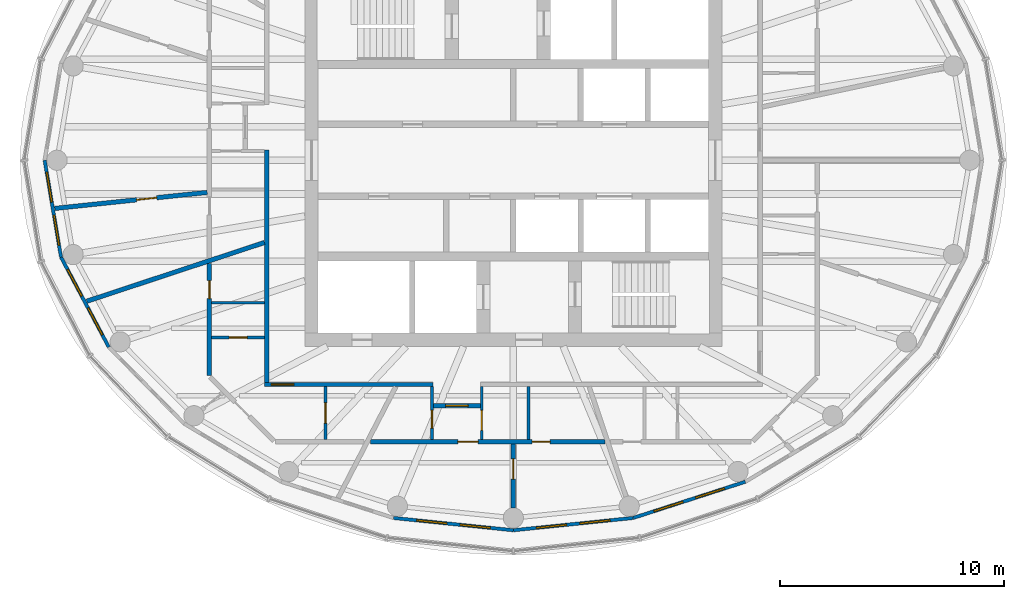
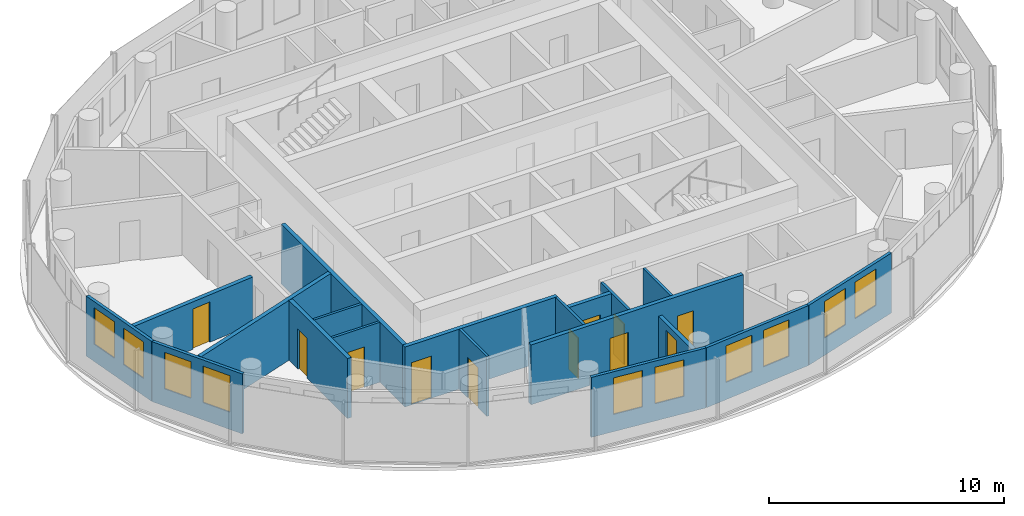
# One storey, part 5 of 11: 19 walls, 11 doors, 10 windows, 21 openings.
"""IFC4 building model written with IfcOpenShell, lengths in metres."""

import ifcopenshell
import ifcopenshell.guid

model = None  # the IFC model being written
_history = None  # IfcOwnerHistory: only IFC2X3 demands one
_inside = {}  # id of a spatial element -> (the spatial element, [elements in it])
_under = {}  # id of a project, library or spatial element -> (it, [spatial elements below it])
_declared = {}  # id of a project -> (the project, [libraries it declares])
_typed = {}  # id of a type object -> (the type object, [elements of that type])
_made_of = {}  # id of a material, layer set ... -> (it, [elements and type objects made of it])


def new_model(schema):
    """Start an empty IFC model of exactly this schema.

    Asked for "IFC4X3", IfcOpenShell would pick the latest addendum, in which some entities
    have other attributes; the version numbers below select the first issue.
    IFC2X3 requires an IfcOwnerHistory on every rooted entity: one is made here for all.
    """
    global model, _history
    if schema == "IFC4X3":
        model = ifcopenshell.file(schema_version=(4, 3, 0, 0))
    else:
        model = ifcopenshell.file(schema=schema)
    _inside.clear()
    _under.clear()
    _declared.clear()
    _typed.clear()
    _made_of.clear()
    _history = None
    if model.schema == "IFC2X3":
        org = make("IfcOrganization", Name="unknown")
        user = make(
            "IfcPersonAndOrganization",
            ThePerson=make("IfcPerson", FamilyName="unknown"),
            TheOrganization=org,
        )
        app = make(
            "IfcApplication",
            ApplicationDeveloper=org,
            Version="unknown",
            ApplicationFullName="unknown",
            ApplicationIdentifier="unknown",
        )
        _history = make(
            "IfcOwnerHistory",
            OwningUser=user,
            OwningApplication=app,
            ChangeAction="ADDED",
            CreationDate=0,
        )
    return model


def make(cls, **values):
    """One entity of the class cls with the attributes given. An attribute that is None is left unset."""
    return model.create_entity(
        cls, **{name: value for name, value in values.items() if value is not None}
    )


def rooted(cls, **values):
    """An entity with a GlobalId (a new one), such as an element, a storey or a relation."""
    return make(cls, GlobalId=ifcopenshell.guid.new(), OwnerHistory=_history, **values)


def si_unit(unit_type, name, prefix=None):
    """IfcSIUnit, for example si_unit("LENGTHUNIT", "METRE", prefix="MILLI")."""
    return make("IfcSIUnit", UnitType=unit_type, Prefix=prefix, Name=name)


def assignment(units):
    """IfcUnitAssignment: the units of a project."""
    return None if units is None else make("IfcUnitAssignment", Units=units)


def point(xyz):
    """IfcCartesianPoint."""
    return None if xyz is None else make("IfcCartesianPoint", Coordinates=xyz)


def direction(xyz):
    """IfcDirection."""
    return None if xyz is None else make("IfcDirection", DirectionRatios=xyz)


def frame(location, z_axis=None, x_axis=None):
    """IfcAxis2Placement3D, a coordinate frame: its origin and axes. An axis left out is left unset."""
    return make(
        "IfcAxis2Placement3D",
        Location=point(location),
        Axis=direction(z_axis),
        RefDirection=direction(x_axis),
    )


def frame_2d(location, x_axis=None):
    """IfcAxis2Placement2D, a coordinate frame in the plane: its origin and x axis."""
    return make(
        "IfcAxis2Placement2D", Location=point(location), RefDirection=direction(x_axis)
    )


def origin():
    """The frame at (0, 0, 0) with its axes left unset."""
    return frame((0.0, 0.0, 0.0))


def place(relative_to, where):
    """IfcLocalPlacement: puts the frame where relative to a parent placement (None: the world)."""
    return make(
        "IfcLocalPlacement", PlacementRelTo=relative_to, RelativePlacement=where
    )


def context(
    kind, dimensions, precision=None, world=None, true_north=None, identifier=None
):
    """IfcGeometricRepresentationContext, for example the 3D "Model" context."""
    return make(
        "IfcGeometricRepresentationContext",
        ContextIdentifier=identifier,
        ContextType=kind,
        CoordinateSpaceDimension=dimensions,
        Precision=precision,
        WorldCoordinateSystem=world,
        TrueNorth=true_north,
    )


def subcontext(parent, identifier, kind, view, scale=None):
    """IfcGeometricRepresentationSubContext, for example "Body" below "Model"."""
    return make(
        "IfcGeometricRepresentationSubContext",
        ContextIdentifier=identifier,
        ContextType=kind,
        ParentContext=parent,
        TargetScale=scale,
        TargetView=view,
    )


def project(units=None, contexts=None):
    """IfcProject with its units and contexts."""
    return rooted(
        "IfcProject",
        Name="project",
        RepresentationContexts=contexts,
        UnitsInContext=assignment(units),
    )


def spatial(cls, under=None, at=None, **own):
    """A site, building, storey or space (cls), placed at a placement, below another one or the project."""
    s = rooted(cls, ObjectPlacement=at, **own)
    if under is not None:
        _under.setdefault(under.id(), (under, []))[1].append(s)
    return s


def profile(cls, at=None, kind="AREA", **sizes):
    """A parametric profile (cls). Its sizes go by their IFC names, for example OverallWidth=200.0."""
    return make(cls, ProfileType=kind, Position=at, **sizes)


def rectangle(**sizes):
    """IfcRectangleProfileDef."""
    return profile("IfcRectangleProfileDef", **sizes)


def extrude(swept, where, along, depth):
    """IfcExtrudedAreaSolid: the profile swept, set in the frame where, extruded along a direction by depth."""
    return make(
        "IfcExtrudedAreaSolid",
        SweptArea=swept,
        Position=where,
        ExtrudedDirection=direction(along),
        Depth=depth,
    )


def shape(context_of_items, identifier, shape_type, items):
    """IfcShapeRepresentation: the items that make up one representation, for example the "Body"."""
    return make(
        "IfcShapeRepresentation",
        ContextOfItems=context_of_items,
        RepresentationIdentifier=identifier,
        RepresentationType=shape_type,
        Items=items,
    )


def material(Name=None, Category=None):
    """IfcMaterial."""
    return make("IfcMaterial", Name=Name, Category=Category)


def layer(
    of_material, thickness, ventilated=None, Name=None, Category=None, Priority=None
):
    """IfcMaterialLayer: one layer of a wall or slab, of a material (None: an air gap)."""
    return make(
        "IfcMaterialLayer",
        Material=of_material,
        LayerThickness=thickness,
        IsVentilated=ventilated,
        Name=Name,
        Category=Category,
        Priority=Priority,
    )


def layer_set(layers, Name=None):
    """IfcMaterialLayerSet."""
    return make("IfcMaterialLayerSet", MaterialLayers=layers, LayerSetName=Name)


def made_of(thing, what):
    """Note that an element or type object is made of a material, layer set ...; save() writes the relation."""
    if what is not None:
        _made_of.setdefault(what.id(), (what, []))[1].append(thing)
    return thing


def type_object(cls, material=None, **own):
    """A type object (cls), such as IfcWallType, which elements share."""
    return made_of(rooted(cls, **own), material)


def element(
    cls,
    number,
    at=None,
    inside=None,
    cuts=None,
    type_object=None,
    material=None,
    context=None,
    identifier="Body",
    shape_type=None,
    held_by="IfcProductDefinitionShape",
    body=None,
    shapes=None,
    **own,
):
    """One element of the class cls, such as IfcWall. Its Tag is "e" and its number.

    at: its placement. inside: the storey or other place that contains it. cuts: it is an
    opening in that element (IfcRelVoidsElement). A single representation is given by context,
    identifier, shape_type and body (its items); several are given by shapes. held_by: the class
    of the entity that holds the representations. save() writes the other relations.
    """
    e = rooted(cls, Tag="e%d" % number, ObjectPlacement=at, **own)
    if body is not None:
        shapes = [shape(context, identifier, shape_type, body)]
    if shapes is not None:
        e.Representation = make(held_by, Representations=shapes)
    if inside is not None:
        _inside.setdefault(inside.id(), (inside, []))[1].append(e)
    if cuts is not None:
        rooted(
            "IfcRelVoidsElement", RelatingBuildingElement=cuts, RelatedOpeningElement=e
        )
    if type_object is not None:
        _typed.setdefault(type_object.id(), (type_object, []))[1].append(e)
    return made_of(e, material)


def fill(opening, filler):
    """IfcRelFillsElement: the door or window that sits in an opening."""
    return rooted(
        "IfcRelFillsElement",
        RelatingOpeningElement=opening,
        RelatedBuildingElement=filler,
    )


def aggregate(whole, parts):
    """IfcRelAggregates: a whole, such as a stair, and the parts it consists of."""
    return rooted("IfcRelAggregates", RelatingObject=whole, RelatedObjects=parts)


def save(model, path):
    """Write the relations noted so far, then the file.

    IfcRelAggregates (storeys below a building ...), IfcRelContainedInSpatialStructure (elements
    in a storey), IfcRelDefinesByType, IfcRelAssociatesMaterial and IfcRelDeclares: one each for
    every whole, place, type object, material and project.
    """
    for whole, parts in _under.values():
        aggregate(whole, parts)
    for where, things in _inside.values():
        rooted(
            "IfcRelContainedInSpatialStructure",
            RelatedElements=things,
            RelatingStructure=where,
        )
    for kind, things in _typed.values():
        rooted("IfcRelDefinesByType", RelatedObjects=things, RelatingType=kind)
    for what, things in _made_of.values():
        rooted("IfcRelAssociatesMaterial", RelatedObjects=things, RelatingMaterial=what)
    for by, libraries in _declared.values():
        rooted("IfcRelDeclares", RelatingContext=by, RelatedDefinitions=libraries)
    model.write(path)


model = new_model("IFC4")

# Units and contexts
model_context = context("Model", 3, precision=1e-05, world=origin(), true_north=direction((0.0, 1.0)))
body_context = subcontext(model_context, "Body", "Model", "MODEL_VIEW")
ifc_project = project(units=[si_unit("LENGTHUNIT", "METRE"), si_unit("AREAUNIT", "SQUARE_METRE"), si_unit("VOLUMEUNIT", "CUBIC_METRE"), si_unit("PLANEANGLEUNIT", "RADIAN"), si_unit("MASSUNIT", "GRAM", prefix="KILO")], contexts=[model_context])

# Site, building, storey
site_placement = place(None, origin())
site = spatial("IfcSite", under=ifc_project, at=site_placement, CompositionType="ELEMENT")
building_placement = place(site_placement, origin())
building = spatial("IfcBuilding", under=site, at=building_placement, Name="Hankou Lantern Tower", CompositionType="ELEMENT")
storey_placement = place(building_placement, frame((0.0, 0.0, 199.5)))
storey = spatial("IfcBuildingStorey", under=building, at=storey_placement, Name="L53", CompositionType="ELEMENT", Elevation=199.5)

# Wall, openings, windows
ifc_material_1 = material(Name="Aluminium spandrel panel on steel studs", Category="steel")
ifc_layer_1 = layer(ifc_material_1, 0.14990234375)
ifc_layer_set_1 = layer_set([ifc_layer_1], Name="Aluminium spandrel panel on steel studs")
wall_type_1 = type_object("IfcWallType", Name="EW1 INNER SKIN WALL 150", PredefinedType="ELEMENTEDWALL", material=ifc_layer_set_1)
wall_1_placement = place(storey_placement, frame((-20.89990234375, 0.0, 0.0), z_axis=(0.0, 0.0, 1.0), x_axis=(0.166538513568, -0.986034950445, 0.0)))
wall_1 = element("IfcWall", 1, at=wall_1_placement, inside=storey, type_object=wall_type_1, Name="Inner skin R13-R14 L53", PredefinedType="ELEMENTEDWALL", context=body_context, shape_type="SweptSolid", body=[
    extrude(rectangle(XDim=4.384765625, YDim=0.14990234375, at=frame_2d((2.1923828125, 0.0))), origin(), (0.0, 0.0, 1.0), 3.1201171875),
])
opening_1_placement = place(wall_1_placement, frame((0.54248046875, 0.0, 0.89990234375)))
opening_1 = element("IfcOpeningElement", 2, at=opening_1_placement, cuts=wall_1, Name="Opening W4", PredefinedType="OPENING", context=body_context, shape_type="SweptSolid", body=[
    extrude(rectangle(XDim=1.35009765625, YDim=1.89990234375, at=frame_2d((0.675048828125, 0.949951171875))), frame((0.0, 0.0849609375, 0.0), z_axis=(0.0, -1.0, 0.0), x_axis=(1.0, 0.0, 0.0)), (0.0, 0.0, 1.0), 0.169921875),
])
opening_2_placement = place(wall_1_placement, frame((2.492431640625, 0.0, 0.89990234375)))
opening_2 = element("IfcOpeningElement", 3, at=opening_2_placement, cuts=wall_1, Name="Opening W4", PredefinedType="OPENING", context=body_context, shape_type="SweptSolid", body=[
    extrude(rectangle(XDim=1.35009765625, YDim=1.89990234375, at=frame_2d((0.675048828125, 0.949951171875))), frame((0.0, 0.0849609375, 0.0), z_axis=(0.0, -1.0, 0.0), x_axis=(1.0, 0.0, 0.0)), (0.0, 0.0, 1.0), 0.169921875),
])
ifc_material_2 = material(Name="Aluminium framed double glazed window", Category="aluminium")
window_type = type_object("IfcWindowType", Name="W4 SUITE WINDOW 1350X1900", PartitioningType="DOUBLE_PANEL_VERTICAL", PredefinedType="WINDOW", material=ifc_material_2)
window_1_placement = place(opening_1_placement, origin())
window_1 = element("IfcWindow", 4, at=window_1_placement, inside=storey, type_object=window_type, Name="Window R13.1 L53", OverallHeight=1.89990234375, OverallWidth=1.35009765625, PartitioningType="SINGLE_PANEL", PredefinedType="WINDOW", context=body_context, shape_type="SweptSolid", body=[
    extrude(rectangle(XDim=1.35009765625, YDim=1.89990234375, at=frame_2d((0.675048828125, 0.949951171875))), frame((0.0, 0.030029296875, 0.0), z_axis=(0.0, -1.0, 0.0), x_axis=(1.0, 0.0, 0.0)), (0.0, 0.0, 1.0), 0.06005859375),
])
fill(opening_1, window_1)
window_2_placement = place(opening_2_placement, origin())
window_2 = element("IfcWindow", 5, at=window_2_placement, inside=storey, type_object=window_type, Name="Window R13.2 L53", OverallHeight=1.89990234375, OverallWidth=1.35009765625, PartitioningType="SINGLE_PANEL", PredefinedType="WINDOW", context=body_context, shape_type="SweptSolid", body=[
    extrude(rectangle(XDim=1.35009765625, YDim=1.89990234375, at=frame_2d((0.675048828125, 0.949951171875))), frame((0.0, 0.030029296875, 0.0), z_axis=(0.0, -1.0, 0.0), x_axis=(1.0, 0.0, 0.0)), (0.0, 0.0, 1.0), 0.06005859375),
])
fill(opening_2, window_2)

wall_2_placement = place(storey_placement, frame((-20.169677734375, -4.323486328125, 0.0), z_axis=(0.0, 0.0, 1.0), x_axis=(0.469256152955, -0.883062094597, 0.0)))
wall_2 = element("IfcWall", 6, at=wall_2_placement, inside=storey, type_object=wall_type_1, Name="Inner skin R14-R15 L53", PredefinedType="ELEMENTEDWALL", context=body_context, shape_type="SweptSolid", body=[
    extrude(rectangle(XDim=4.539306640625, YDim=0.14990234375, at=frame_2d((2.26953125, 0.0))), origin(), (0.0, 0.0, 1.0), 3.1201171875),
])
opening_3_placement = place(wall_2_placement, frame((0.61962890625, 0.0, 0.89990234375)))
opening_3 = element("IfcOpeningElement", 7, at=opening_3_placement, cuts=wall_2, Name="Opening W4", PredefinedType="OPENING", context=body_context, shape_type="SweptSolid", body=[
    extrude(rectangle(XDim=1.35009765625, YDim=1.89990234375, at=frame_2d((0.675048828125, 0.949951171875))), frame((0.0, 0.0849609375, 0.0), z_axis=(0.0, -1.0, 0.0), x_axis=(1.0, 0.0, 0.0)), (0.0, 0.0, 1.0), 0.169921875),
])
opening_4_placement = place(wall_2_placement, frame((2.569580078125, 0.0, 0.89990234375)))
opening_4 = element("IfcOpeningElement", 8, at=opening_4_placement, cuts=wall_2, Name="Opening W4", PredefinedType="OPENING", context=body_context, shape_type="SweptSolid", body=[
    extrude(rectangle(XDim=1.35009765625, YDim=1.89990234375, at=frame_2d((0.675048828125, 0.949951171875))), frame((0.0, 0.0849609375, 0.0), z_axis=(0.0, -1.0, 0.0), x_axis=(1.0, 0.0, 0.0)), (0.0, 0.0, 1.0), 0.169921875),
])
window_3_placement = place(opening_3_placement, origin())
window_3 = element("IfcWindow", 9, at=window_3_placement, inside=storey, type_object=window_type, Name="Window R14.1 L53", OverallHeight=1.89990234375, OverallWidth=1.35009765625, PartitioningType="SINGLE_PANEL", PredefinedType="WINDOW", context=body_context, shape_type="SweptSolid", body=[
    extrude(rectangle(XDim=1.35009765625, YDim=1.89990234375, at=frame_2d((0.675048828125, 0.949951171875))), frame((0.0, 0.030029296875, 0.0), z_axis=(0.0, -1.0, 0.0), x_axis=(1.0, 0.0, 0.0)), (0.0, 0.0, 1.0), 0.06005859375),
])
fill(opening_3, window_3)
window_4_placement = place(opening_4_placement, origin())
window_4 = element("IfcWindow", 10, at=window_4_placement, inside=storey, type_object=window_type, Name="Window R14.2 L53", OverallHeight=1.89990234375, OverallWidth=1.35009765625, PartitioningType="SINGLE_PANEL", PredefinedType="WINDOW", context=body_context, shape_type="SweptSolid", body=[
    extrude(rectangle(XDim=1.35009765625, YDim=1.89990234375, at=frame_2d((0.675048828125, 0.949951171875))), frame((0.0, 0.030029296875, 0.0), z_axis=(0.0, -1.0, 0.0), x_axis=(1.0, 0.0, 0.0)), (0.0, 0.0, 1.0), 0.06005859375),
])
fill(opening_4, window_4)

wall_3_placement = place(storey_placement, frame((-5.3427734375, -15.95166015625, 0.0), z_axis=(0.0, 0.0, 1.0), x_axis=(0.994774574972, -0.102095763818, 0.0)))
wall_3 = element("IfcWall", 11, at=wall_3_placement, inside=storey, type_object=wall_type_1, Name="Inner skin R18-R19 L53", PredefinedType="ELEMENTEDWALL", context=body_context, shape_type="SweptSolid", body=[
    extrude(rectangle(XDim=5.370849609375, YDim=0.14990234375, at=frame_2d((2.685546875, 0.0))), origin(), (0.0, 0.0, 1.0), 3.1201171875),
])
opening_5_placement = place(wall_3_placement, frame((1.035400390625, 0.0, 0.89990234375)))
opening_5 = element("IfcOpeningElement", 12, at=opening_5_placement, cuts=wall_3, Name="Opening W4", PredefinedType="OPENING", context=body_context, shape_type="SweptSolid", body=[
    extrude(rectangle(XDim=1.35009765625, YDim=1.89990234375, at=frame_2d((0.675048828125, 0.949951171875))), frame((0.0, 0.0849609375, 0.0), z_axis=(0.0, -1.0, 0.0), x_axis=(1.0, 0.0, 0.0)), (0.0, 0.0, 1.0), 0.169921875),
])
opening_6_placement = place(wall_3_placement, frame((2.9853515625, 0.0, 0.89990234375)))
opening_6 = element("IfcOpeningElement", 13, at=opening_6_placement, cuts=wall_3, Name="Opening W4", PredefinedType="OPENING", context=body_context, shape_type="SweptSolid", body=[
    extrude(rectangle(XDim=1.35009765625, YDim=1.89990234375, at=frame_2d((0.675048828125, 0.949951171875))), frame((0.0, 0.0849609375, 0.0), z_axis=(0.0, -1.0, 0.0), x_axis=(1.0, 0.0, 0.0)), (0.0, 0.0, 1.0), 0.169921875),
])
window_5_placement = place(opening_5_placement, origin())
window_5 = element("IfcWindow", 14, at=window_5_placement, inside=storey, type_object=window_type, Name="Window R18.1 L53", OverallHeight=1.89990234375, OverallWidth=1.35009765625, PartitioningType="SINGLE_PANEL", PredefinedType="WINDOW", context=body_context, shape_type="SweptSolid", body=[
    extrude(rectangle(XDim=1.35009765625, YDim=1.89990234375, at=frame_2d((0.675048828125, 0.949951171875))), frame((0.0, 0.030029296875, 0.0), z_axis=(0.0, -1.0, 0.0), x_axis=(1.0, 0.0, 0.0)), (0.0, 0.0, 1.0), 0.06005859375),
])
fill(opening_5, window_5)
window_6_placement = place(opening_6_placement, origin())
window_6 = element("IfcWindow", 15, at=window_6_placement, inside=storey, type_object=window_type, Name="Window R18.2 L53", OverallHeight=1.89990234375, OverallWidth=1.35009765625, PartitioningType="SINGLE_PANEL", PredefinedType="WINDOW", context=body_context, shape_type="SweptSolid", body=[
    extrude(rectangle(XDim=1.35009765625, YDim=1.89990234375, at=frame_2d((0.675048828125, 0.949951171875))), frame((0.0, 0.030029296875, 0.0), z_axis=(0.0, -1.0, 0.0), x_axis=(1.0, 0.0, 0.0)), (0.0, 0.0, 1.0), 0.06005859375),
])
fill(opening_6, window_6)

wall_4_placement = place(storey_placement, frame((0.0, -16.5, 0.0), z_axis=(0.0, 0.0, 1.0), x_axis=(0.994774574972, 0.102095763818, 0.0)))
wall_4 = element("IfcWall", 16, at=wall_4_placement, inside=storey, type_object=wall_type_1, Name="Inner skin R19-R20 L53", PredefinedType="ELEMENTEDWALL", context=body_context, shape_type="SweptSolid", body=[
    extrude(rectangle(XDim=5.370849609375, YDim=0.14990234375, at=frame_2d((2.685546875, 0.0))), origin(), (0.0, 0.0, 1.0), 3.1201171875),
])
opening_7_placement = place(wall_4_placement, frame((1.035400390625, 0.0, 0.89990234375)))
opening_7 = element("IfcOpeningElement", 17, at=opening_7_placement, cuts=wall_4, Name="Opening W4", PredefinedType="OPENING", context=body_context, shape_type="SweptSolid", body=[
    extrude(rectangle(XDim=1.35009765625, YDim=1.89990234375, at=frame_2d((0.675048828125, 0.949951171875))), frame((0.0, 0.0849609375, 0.0), z_axis=(0.0, -1.0, 0.0), x_axis=(1.0, 0.0, 0.0)), (0.0, 0.0, 1.0), 0.169921875),
])
opening_8_placement = place(wall_4_placement, frame((2.9853515625, 0.0, 0.89990234375)))
opening_8 = element("IfcOpeningElement", 18, at=opening_8_placement, cuts=wall_4, Name="Opening W4", PredefinedType="OPENING", context=body_context, shape_type="SweptSolid", body=[
    extrude(rectangle(XDim=1.35009765625, YDim=1.89990234375, at=frame_2d((0.675048828125, 0.949951171875))), frame((0.0, 0.0849609375, 0.0), z_axis=(0.0, -1.0, 0.0), x_axis=(1.0, 0.0, 0.0)), (0.0, 0.0, 1.0), 0.169921875),
])
window_7_placement = place(opening_7_placement, origin())
window_7 = element("IfcWindow", 19, at=window_7_placement, inside=storey, type_object=window_type, Name="Window R19.1 L53", OverallHeight=1.89990234375, OverallWidth=1.35009765625, PartitioningType="SINGLE_PANEL", PredefinedType="WINDOW", context=body_context, shape_type="SweptSolid", body=[
    extrude(rectangle(XDim=1.35009765625, YDim=1.89990234375, at=frame_2d((0.675048828125, 0.949951171875))), frame((0.0, 0.030029296875, 0.0), z_axis=(0.0, -1.0, 0.0), x_axis=(1.0, 0.0, 0.0)), (0.0, 0.0, 1.0), 0.06005859375),
])
fill(opening_7, window_7)
window_8_placement = place(opening_8_placement, origin())
window_8 = element("IfcWindow", 20, at=window_8_placement, inside=storey, type_object=window_type, Name="Window R19.2 L53", OverallHeight=1.89990234375, OverallWidth=1.35009765625, PartitioningType="SINGLE_PANEL", PredefinedType="WINDOW", context=body_context, shape_type="SweptSolid", body=[
    extrude(rectangle(XDim=1.35009765625, YDim=1.89990234375, at=frame_2d((0.675048828125, 0.949951171875))), frame((0.0, 0.030029296875, 0.0), z_axis=(0.0, -1.0, 0.0), x_axis=(1.0, 0.0, 0.0)), (0.0, 0.0, 1.0), 0.06005859375),
])
fill(opening_8, window_8)

wall_5_placement = place(storey_placement, frame((5.3427734375, -15.95166015625, 0.0), z_axis=(0.0, 0.0, 1.0), x_axis=(0.951644702515, 0.307200846638, 0.0)))
wall_5 = element("IfcWall", 21, at=wall_5_placement, inside=storey, type_object=wall_type_1, Name="Inner skin R20-R21 L53", PredefinedType="ELEMENTEDWALL", context=body_context, shape_type="SweptSolid", body=[
    extrude(rectangle(XDim=5.2578125, YDim=0.14990234375, at=frame_2d((2.62890625, 0.0))), origin(), (0.0, 0.0, 1.0), 3.1201171875),
])
opening_9_placement = place(wall_5_placement, frame((0.97900390625, 0.0, 0.89990234375)))
opening_9 = element("IfcOpeningElement", 22, at=opening_9_placement, cuts=wall_5, Name="Opening W4", PredefinedType="OPENING", context=body_context, shape_type="SweptSolid", body=[
    extrude(rectangle(XDim=1.35009765625, YDim=1.89990234375, at=frame_2d((0.675048828125, 0.949951171875))), frame((0.0, 0.0849609375, 0.0), z_axis=(0.0, -1.0, 0.0), x_axis=(1.0, 0.0, 0.0)), (0.0, 0.0, 1.0), 0.169921875),
])
opening_10_placement = place(wall_5_placement, frame((2.928955078125, 0.0, 0.89990234375)))
opening_10 = element("IfcOpeningElement", 23, at=opening_10_placement, cuts=wall_5, Name="Opening W4", PredefinedType="OPENING", context=body_context, shape_type="SweptSolid", body=[
    extrude(rectangle(XDim=1.35009765625, YDim=1.89990234375, at=frame_2d((0.675048828125, 0.949951171875))), frame((0.0, 0.0849609375, 0.0), z_axis=(0.0, -1.0, 0.0), x_axis=(1.0, 0.0, 0.0)), (0.0, 0.0, 1.0), 0.169921875),
])
window_9_placement = place(opening_9_placement, origin())
window_9 = element("IfcWindow", 24, at=window_9_placement, inside=storey, type_object=window_type, Name="Window R20.1 L53", OverallHeight=1.89990234375, OverallWidth=1.35009765625, PartitioningType="SINGLE_PANEL", PredefinedType="WINDOW", context=body_context, shape_type="SweptSolid", body=[
    extrude(rectangle(XDim=1.35009765625, YDim=1.89990234375, at=frame_2d((0.675048828125, 0.949951171875))), frame((0.0, 0.030029296875, 0.0), z_axis=(0.0, -1.0, 0.0), x_axis=(1.0, 0.0, 0.0)), (0.0, 0.0, 1.0), 0.06005859375),
])
fill(opening_9, window_9)
window_10_placement = place(opening_10_placement, origin())
window_10 = element("IfcWindow", 25, at=window_10_placement, inside=storey, type_object=window_type, Name="Window R20.2 L53", OverallHeight=1.89990234375, OverallWidth=1.35009765625, PartitioningType="SINGLE_PANEL", PredefinedType="WINDOW", context=body_context, shape_type="SweptSolid", body=[
    extrude(rectangle(XDim=1.35009765625, YDim=1.89990234375, at=frame_2d((0.675048828125, 0.949951171875))), frame((0.0, 0.030029296875, 0.0), z_axis=(0.0, -1.0, 0.0), x_axis=(1.0, 0.0, 0.0)), (0.0, 0.0, 1.0), 0.06005859375),
])
fill(opening_10, window_10)

# Wall
ifc_material_3 = material(Name="Masonry lightweight concrete block", Category="masonry")
ifc_layer_2 = layer(ifc_material_3, 0.199951171875)
ifc_layer_set_2 = layer_set([ifc_layer_2], Name="Masonry lightweight concrete block")
wall_type_2 = type_object("IfcWallType", Name="IW1 GUEST ROOM PARTY WALL 200", PredefinedType="PARTITIONING", material=ifc_layer_set_2)
wall_6_placement = place(storey_placement, frame((-11.10009765625, -3.668701171875, 0.0), z_axis=(0.0, 0.0, 1.0), x_axis=(-0.949476668397, -0.313837627079, 0.0)))
element("IfcWall", 26, at=wall_6_placement, inside=storey, type_object=wall_type_2, Name="Party wall R14-R15", PredefinedType="PARTITIONING", context=body_context, shape_type="SweptSolid", body=[
    extrude(rectangle(XDim=8.338623046875, YDim=0.199951171875, at=frame_2d((4.16943359375, 0.0))), origin(), (0.0, 0.0, 1.0), 3.1201171875),
])

# Wall, opening, door
ifc_material_4 = material(Name="Masonry lightweight concrete block", Category="masonry")
ifc_layer_3 = layer(ifc_material_4, 0.199951171875)
ifc_layer_set_3 = layer_set([ifc_layer_3], Name="Masonry lightweight concrete block")
wall_type_3 = type_object("IfcWallType", Name="IW2 CORRIDOR WALL 200", PredefinedType="PARTITIONING", material=ifc_layer_set_3)
wall_7_placement = place(storey_placement, frame((-3.578857421875, -10.0, 0.0), z_axis=(0.0, 0.0, 1.0), x_axis=(-1.0, 0.0, 0.0)))
wall_7 = element("IfcWall", 27, at=wall_7_placement, inside=storey, type_object=wall_type_3, Name="Corridor wall south", PredefinedType="PARTITIONING", context=body_context, shape_type="SweptSolid", body=[
    extrude(rectangle(XDim=7.521240234375, YDim=0.199951171875, at=frame_2d((3.7607421875, 0.0))), origin(), (0.0, 0.0, 1.0), 3.1201171875),
])
opening_11_placement = place(wall_7_placement, frame((6.205810546875, 0.0, 0.0)))
opening_11 = element("IfcOpeningElement", 28, at=opening_11_placement, cuts=wall_7, Name="Opening D2", PredefinedType="OPENING", context=body_context, shape_type="SweptSolid", body=[
    extrude(rectangle(XDim=1.0, YDim=2.199951171875, at=frame_2d((0.5, 1.10009765625))), frame((0.0, 0.10986328125, 0.0), z_axis=(0.0, -1.0, 0.0), x_axis=(1.0, 0.0, 0.0)), (0.0, 0.0, 1.0), 0.219970703125),
])
ifc_material_5 = material(Name="Steel door leaf", Category="steel")
door_type_1 = type_object("IfcDoorType", Name="D2 SUITE DOOR 1000X2200", OperationType="SINGLE_SWING_LEFT", PredefinedType="DOOR", material=ifc_material_5)
door_1_placement = place(opening_11_placement, origin())
door_1 = element("IfcDoor", 29, at=door_1_placement, inside=storey, type_object=door_type_1, Name="Suite door 5305", OperationType="SINGLE_SWING_LEFT", OverallHeight=2.199951171875, OverallWidth=1.0, PredefinedType="DOOR", context=body_context, shape_type="SweptSolid", body=[
    extrude(rectangle(XDim=1.0, YDim=2.199951171875, at=frame_2d((0.5, 1.10009765625))), frame((0.0, 0.02490234375, 0.0), z_axis=(0.0, -1.0, 0.0), x_axis=(1.0, 0.0, 0.0)), (0.0, 0.0, 1.0), 0.050048828125),
])
fill(opening_11, door_1)

# Wall
wall_8_placement = place(storey_placement, frame((-11.0, 0.46435546875, 0.0), z_axis=(0.0, 0.0, 1.0), x_axis=(0.0, -1.0, 0.0)))
element("IfcWall", 30, at=wall_8_placement, inside=storey, type_object=wall_type_3, Name="Corridor wall west", PredefinedType="PARTITIONING", context=body_context, shape_type="SweptSolid", body=[
    extrude(rectangle(XDim=10.3642578125, YDim=0.199951171875, at=frame_2d((5.18212890625, 0.0))), origin(), (0.0, 0.0, 1.0), 3.1201171875),
])

# Wall, opening, door
wall_9_placement = place(storey_placement, frame((-3.56884765625, -10.949951171875, 0.0), z_axis=(0.0, 0.0, 1.0), x_axis=(1.0, 0.0, 0.0)))
wall_9 = element("IfcWall", 31, at=wall_9_placement, inside=storey, type_object=wall_type_3, Name="Suite entrance recess wall 5306", PredefinedType="PARTITIONING", context=body_context, shape_type="SweptSolid", body=[
    extrude(rectangle(XDim=2.099853515625, YDim=0.199951171875, at=frame_2d((1.0498046875, 0.0))), origin(), (0.0, 0.0, 1.0), 3.1201171875),
])
opening_12_placement = place(wall_9_placement, frame((0.550048828125, 0.0, 0.0)))
opening_12 = element("IfcOpeningElement", 32, at=opening_12_placement, cuts=wall_9, Name="Opening D2", PredefinedType="OPENING", context=body_context, shape_type="SweptSolid", body=[
    extrude(rectangle(XDim=1.0, YDim=2.199951171875, at=frame_2d((0.5, 1.10009765625))), frame((0.0, 0.10986328125, 0.0), z_axis=(0.0, -1.0, 0.0), x_axis=(1.0, 0.0, 0.0)), (0.0, 0.0, 1.0), 0.219970703125),
])
door_2_placement = place(opening_12_placement, origin())
door_2 = element("IfcDoor", 33, at=door_2_placement, inside=storey, type_object=door_type_1, Name="Suite door 5306", OperationType="SINGLE_SWING_RIGHT", OverallHeight=2.199951171875, OverallWidth=1.0, PredefinedType="DOOR", context=body_context, shape_type="SweptSolid", body=[
    extrude(rectangle(XDim=1.0, YDim=2.199951171875, at=frame_2d((0.5, 1.10009765625))), frame((0.0, 0.02490234375, 0.0), z_axis=(0.0, -1.0, 0.0), x_axis=(1.0, 0.0, 0.0)), (0.0, 0.0, 1.0), 0.050048828125),
])
fill(opening_12, door_2)

# Wall
ifc_material_6 = material(Name="Masonry lightweight concrete block", Category="masonry")
ifc_layer_4 = layer(ifc_material_6, 0.1201171875)
ifc_layer_set_4 = layer_set([ifc_layer_4], Name="Masonry lightweight concrete block")
wall_type_4 = type_object("IfcWallType", Name="IW3 BATHROOM WALL 120", PredefinedType="PARTITIONING", material=ifc_layer_set_4)
wall_10_placement = place(storey_placement, frame((-11.10009765625, -6.358154296875, 0.0), z_axis=(0.0, 0.0, 1.0), x_axis=(-1.0, 0.0, 0.0)))
element("IfcWall", 34, at=wall_10_placement, inside=storey, type_object=wall_type_4, Name="Box wall 5305 1", PredefinedType="PARTITIONING", context=body_context, shape_type="SweptSolid", body=[
    extrude(rectangle(XDim=2.349853515625, YDim=0.1201171875, at=frame_2d((1.1748046875, 0.0))), origin(), (0.0, 0.0, 1.0), 3.1201171875),
])

# Wall, opening, door
wall_11_placement = place(storey_placement, frame((-11.10009765625, -7.9052734375, 0.0), z_axis=(0.0, 0.0, 1.0), x_axis=(-1.0, 0.0, 0.0)))
wall_11 = element("IfcWall", 35, at=wall_11_placement, inside=storey, type_object=wall_type_4, Name="Box wall 5305 2", PredefinedType="PARTITIONING", context=body_context, shape_type="SweptSolid", body=[
    extrude(rectangle(XDim=2.349853515625, YDim=0.1201171875, at=frame_2d((1.1748046875, 0.0))), origin(), (0.0, 0.0, 1.0), 3.1201171875),
])
opening_13_placement = place(wall_11_placement, frame((0.77001953125, 0.0, 0.0)))
opening_13 = element("IfcOpeningElement", 36, at=opening_13_placement, cuts=wall_11, Name="Opening D3", PredefinedType="OPENING", context=body_context, shape_type="SweptSolid", body=[
    extrude(rectangle(XDim=0.800048828125, YDim=2.10009765625, at=frame_2d((0.39990234375, 1.050048828125))), frame((0.0, 0.070068359375, 0.0), z_axis=(0.0, -1.0, 0.0), x_axis=(1.0, 0.0, 0.0)), (0.0, 0.0, 1.0), 0.14013671875),
])
ifc_material_7 = material(Name="Timber door leaf", Category="wood")
door_type_2 = type_object("IfcDoorType", Name="D3 BATHROOM DOOR 800X2100", OperationType="SINGLE_SWING_LEFT", PredefinedType="DOOR", material=ifc_material_7)
door_3_placement = place(opening_13_placement, origin())
door_3 = element("IfcDoor", 37, at=door_3_placement, inside=storey, type_object=door_type_2, Name="Suite 5305 guest WC door", OperationType="SINGLE_SWING_LEFT", OverallHeight=2.10009765625, OverallWidth=0.800048828125, PredefinedType="DOOR", context=body_context, shape_type="SweptSolid", body=[
    extrude(rectangle(XDim=0.800048828125, YDim=2.10009765625, at=frame_2d((0.39990234375, 1.050048828125))), frame((0.0, 0.02490234375, 0.0), z_axis=(0.0, -1.0, 0.0), x_axis=(1.0, 0.0, 0.0)), (0.0, 0.0, 1.0), 0.050048828125),
])
fill(opening_13, door_3)

wall_12_placement = place(storey_placement, frame((-8.374755859375, -10.10009765625, 0.0), z_axis=(0.0, 0.0, 1.0), x_axis=(0.0, -1.0, 0.0)))
wall_12 = element("IfcWall", 38, at=wall_12_placement, inside=storey, type_object=wall_type_4, Name="Box wall 5305 3", PredefinedType="PARTITIONING", context=body_context, shape_type="SweptSolid", body=[
    extrude(rectangle(XDim=2.349853515625, YDim=0.1201171875, at=frame_2d((1.1748046875, 0.0))), origin(), (0.0, 0.0, 1.0), 3.1201171875),
])
opening_14_placement = place(wall_12_placement, frame((0.719970703125, 0.0, 0.0)))
opening_14 = element("IfcOpeningElement", 39, at=opening_14_placement, cuts=wall_12, Name="Opening D27", PredefinedType="OPENING", context=body_context, shape_type="SweptSolid", body=[
    extrude(rectangle(XDim=0.89990234375, YDim=2.10009765625, at=frame_2d((0.449951171875, 1.050048828125))), frame((0.0, 0.070068359375, 0.0), z_axis=(0.0, -1.0, 0.0), x_axis=(1.0, 0.0, 0.0)), (0.0, 0.0, 1.0), 0.14013671875),
])
ifc_material_8 = material(Name="Timber door leaf", Category="wood")
door_type_3 = type_object("IfcDoorType", Name="D27 INTERNAL DOOR 900X2100", OperationType="SINGLE_SWING_LEFT", PredefinedType="DOOR", material=ifc_material_8)
door_4_placement = place(opening_14_placement, origin())
door_4 = element("IfcDoor", 40, at=door_4_placement, inside=storey, type_object=door_type_3, Name="Suite 5305 walk-in wardrobe door", OperationType="SINGLE_SWING_LEFT", OverallHeight=2.10009765625, OverallWidth=0.89990234375, PredefinedType="DOOR", context=body_context, shape_type="SweptSolid", body=[
    extrude(rectangle(XDim=0.89990234375, YDim=2.10009765625, at=frame_2d((0.449951171875, 1.050048828125))), frame((0.0, 0.02490234375, 0.0), z_axis=(0.0, -1.0, 0.0), x_axis=(1.0, 0.0, 0.0)), (0.0, 0.0, 1.0), 0.050048828125),
])
fill(opening_14, door_4)

wall_13_placement = place(storey_placement, frame((-3.62890625, -10.10009765625, 0.0), z_axis=(0.0, 0.0, 1.0), x_axis=(0.0, -1.0, 0.0)))
wall_13 = element("IfcWall", 41, at=wall_13_placement, inside=storey, type_object=wall_type_4, Name="Box wall 5306 1", PredefinedType="PARTITIONING", context=body_context, shape_type="SweptSolid", body=[
    extrude(rectangle(XDim=2.349853515625, YDim=0.1201171875, at=frame_2d((1.1748046875, 0.0))), origin(), (0.0, 0.0, 1.0), 3.1201171875),
])
opening_15_placement = place(wall_13_placement, frame((1.050048828125, 0.0, 0.0)))
opening_15 = element("IfcOpeningElement", 42, at=opening_15_placement, cuts=wall_13, Name="Opening D3", PredefinedType="OPENING", context=body_context, shape_type="SweptSolid", body=[
    extrude(rectangle(XDim=0.800048828125, YDim=2.10009765625, at=frame_2d((0.39990234375, 1.050048828125))), frame((0.0, 0.070068359375, 0.0), z_axis=(0.0, -1.0, 0.0), x_axis=(1.0, 0.0, 0.0)), (0.0, 0.0, 1.0), 0.14013671875),
])
door_5_placement = place(opening_15_placement, origin())
door_5 = element("IfcDoor", 43, at=door_5_placement, inside=storey, type_object=door_type_2, Name="Suite 5306 guest WC door", OperationType="SINGLE_SWING_LEFT", OverallHeight=2.10009765625, OverallWidth=0.800048828125, PredefinedType="DOOR", context=body_context, shape_type="SweptSolid", body=[
    extrude(rectangle(XDim=0.800048828125, YDim=2.10009765625, at=frame_2d((0.39990234375, 1.050048828125))), frame((0.0, 0.02490234375, 0.0), z_axis=(0.0, -1.0, 0.0), x_axis=(1.0, 0.0, 0.0)), (0.0, 0.0, 1.0), 0.050048828125),
])
fill(opening_15, door_5)

wall_14_placement = place(storey_placement, frame((-1.408935546875, -10.10009765625, 0.0), z_axis=(0.0, 0.0, 1.0), x_axis=(0.0, -1.0, 0.0)))
wall_14 = element("IfcWall", 44, at=wall_14_placement, inside=storey, type_object=wall_type_4, Name="Box wall 5306 2", PredefinedType="PARTITIONING", context=body_context, shape_type="SweptSolid", body=[
    extrude(rectangle(XDim=2.349853515625, YDim=0.1201171875, at=frame_2d((1.1748046875, 0.0))), origin(), (0.0, 0.0, 1.0), 3.1201171875),
])
opening_16_placement = place(wall_14_placement, frame((1.050048828125, 0.0, 0.0)))
opening_16 = element("IfcOpeningElement", 45, at=opening_16_placement, cuts=wall_14, Name="Opening D27", PredefinedType="OPENING", context=body_context, shape_type="SweptSolid", body=[
    extrude(rectangle(XDim=0.89990234375, YDim=2.10009765625, at=frame_2d((0.449951171875, 1.050048828125))), frame((0.0, 0.070068359375, 0.0), z_axis=(0.0, -1.0, 0.0), x_axis=(1.0, 0.0, 0.0)), (0.0, 0.0, 1.0), 0.14013671875),
])
door_6_placement = place(opening_16_placement, origin())
door_6 = element("IfcDoor", 46, at=door_6_placement, inside=storey, type_object=door_type_3, Name="Suite 5306 walk-in wardrobe door", OperationType="SINGLE_SWING_RIGHT", OverallHeight=2.10009765625, OverallWidth=0.89990234375, PredefinedType="DOOR", context=body_context, shape_type="SweptSolid", body=[
    extrude(rectangle(XDim=0.89990234375, YDim=2.10009765625, at=frame_2d((0.449951171875, 1.050048828125))), frame((0.0, 0.02490234375, 0.0), z_axis=(0.0, -1.0, 0.0), x_axis=(1.0, 0.0, 0.0)), (0.0, 0.0, 1.0), 0.050048828125),
])
fill(opening_16, door_6)

# Wall
wall_15_placement = place(storey_placement, frame((0.678466796875, -10.10009765625, 0.0), z_axis=(0.0, 0.0, 1.0), x_axis=(0.0, -1.0, 0.0)))
element("IfcWall", 47, at=wall_15_placement, inside=storey, type_object=wall_type_4, Name="Box wall 5306 3", PredefinedType="PARTITIONING", context=body_context, shape_type="SweptSolid", body=[
    extrude(rectangle(XDim=2.349853515625, YDim=0.1201171875, at=frame_2d((1.1748046875, 0.0))), origin(), (0.0, 0.0, 1.0), 3.1201171875),
])

# Wall, opening, door
ifc_material_9 = material(Name="Masonry lightweight concrete block", Category="masonry")
ifc_layer_5 = layer(ifc_material_9, 0.199951171875)
ifc_layer_set_5 = layer_set([ifc_layer_5], Name="Masonry lightweight concrete block")
wall_type_5 = type_object("IfcWallType", Name="IW6 SUITE PARTITION 200", PredefinedType="PARTITIONING", material=ifc_layer_set_5)
wall_16_placement = place(storey_placement, frame((-13.64990234375, -1.433837890625, 0.0), z_axis=(0.0, 0.0, 1.0), x_axis=(-0.994526954268, -0.10448031984, 0.0)))
wall_16 = element("IfcWall", 48, at=wall_16_placement, inside=storey, type_object=wall_type_5, Name="Suite partition R13-R14", PredefinedType="PARTITIONING", context=body_context, shape_type="SweptSolid", body=[
    extrude(rectangle(XDim=6.837158203125, YDim=0.199951171875, at=frame_2d((3.41845703125, 0.0))), origin(), (0.0, 0.0, 1.0), 2.469970703125),
])
opening_17_placement = place(wall_16_placement, frame((2.27001953125, 0.0, 0.0)))
opening_17 = element("IfcOpeningElement", 49, at=opening_17_placement, cuts=wall_16, Name="Opening D27", PredefinedType="OPENING", context=body_context, shape_type="SweptSolid", body=[
    extrude(rectangle(XDim=0.89990234375, YDim=2.10009765625, at=frame_2d((0.449951171875, 1.050048828125))), frame((0.0, 0.10986328125, 0.0), z_axis=(0.0, -1.0, 0.0), x_axis=(1.0, 0.0, 0.0)), (0.0, 0.0, 1.0), 0.219970703125),
])
door_7_placement = place(opening_17_placement, origin())
door_7 = element("IfcDoor", 50, at=door_7_placement, inside=storey, type_object=door_type_3, Name="Family suite 5304 second bedroom door", OperationType="SINGLE_SWING_LEFT", OverallHeight=2.10009765625, OverallWidth=0.89990234375, PredefinedType="DOOR", context=body_context, shape_type="SweptSolid", body=[
    extrude(rectangle(XDim=0.89990234375, YDim=2.10009765625, at=frame_2d((0.449951171875, 1.050048828125))), frame((0.0, 0.02490234375, 0.0), z_axis=(0.0, -1.0, 0.0), x_axis=(1.0, 0.0, 0.0)), (0.0, 0.0, 1.0), 0.050048828125),
])
fill(opening_17, door_7)

wall_17_placement = place(storey_placement, frame((-13.550048828125, -4.599853515625, 0.0), z_axis=(0.0, 0.0, 1.0), x_axis=(0.0, -1.0, 0.0)))
wall_17 = element("IfcWall", 51, at=wall_17_placement, inside=storey, type_object=wall_type_5, Name="Suite foyer wall 5305", PredefinedType="PARTITIONING", context=body_context, shape_type="SweptSolid", body=[
    extrude(rectangle(XDim=5.0087890625, YDim=0.199951171875, at=frame_2d((2.50439453125, 0.0))), origin(), (0.0, 0.0, 1.0), 3.1201171875),
])
opening_18_placement = place(wall_17_placement, frame((0.773681640625, 0.0, 0.0)))
opening_18 = element("IfcOpeningElement", 52, at=opening_18_placement, cuts=wall_17, Name="Opening D3", PredefinedType="OPENING", context=body_context, shape_type="SweptSolid", body=[
    extrude(rectangle(XDim=0.800048828125, YDim=2.10009765625, at=frame_2d((0.39990234375, 1.050048828125))), frame((0.0, 0.10986328125, 0.0), z_axis=(0.0, -1.0, 0.0), x_axis=(1.0, 0.0, 0.0)), (0.0, 0.0, 1.0), 0.219970703125),
])
door_8_placement = place(opening_18_placement, origin())
door_8 = element("IfcDoor", 53, at=door_8_placement, inside=storey, type_object=door_type_2, Name="Suite 5305 bathroom door", OperationType="SINGLE_SWING_RIGHT", OverallHeight=2.10009765625, OverallWidth=0.800048828125, PredefinedType="DOOR", context=body_context, shape_type="SweptSolid", body=[
    extrude(rectangle(XDim=0.800048828125, YDim=2.10009765625, at=frame_2d((0.39990234375, 1.050048828125))), frame((0.0, 0.02490234375, 0.0), z_axis=(0.0, -1.0, 0.0), x_axis=(1.0, 0.0, 0.0)), (0.0, 0.0, 1.0), 0.050048828125),
])
fill(opening_18, door_8)

# Wall, openings, doors
wall_18_placement = place(storey_placement, frame((-6.36376953125, -12.550048828125, 0.0), z_axis=(0.0, 0.0, 1.0), x_axis=(1.0, 0.0, 0.0)))
wall_18 = element("IfcWall", 54, at=wall_18_placement, inside=storey, type_object=wall_type_5, Name="Suite foyer wall 5306", PredefinedType="PARTITIONING", context=body_context, shape_type="SweptSolid", body=[
    extrude(rectangle(XDim=10.44580078125, YDim=0.199951171875, at=frame_2d((5.222900390625, 0.0))), origin(), (0.0, 0.0, 1.0), 3.1201171875),
])
opening_19_placement = place(wall_18_placement, frame((7.2021484375, 0.0, 0.0)))
opening_19 = element("IfcOpeningElement", 55, at=opening_19_placement, cuts=wall_18, Name="Opening D3", PredefinedType="OPENING", context=body_context, shape_type="SweptSolid", body=[
    extrude(rectangle(XDim=0.800048828125, YDim=2.10009765625, at=frame_2d((0.39990234375, 1.050048828125))), frame((0.0, 0.10986328125, 0.0), z_axis=(0.0, -1.0, 0.0), x_axis=(1.0, 0.0, 0.0)), (0.0, 0.0, 1.0), 0.219970703125),
])
opening_20_placement = place(wall_18_placement, frame((3.894775390625, 0.0, 0.0)))
opening_20 = element("IfcOpeningElement", 56, at=opening_20_placement, cuts=wall_18, Name="Opening D27", PredefinedType="OPENING", context=body_context, shape_type="SweptSolid", body=[
    extrude(rectangle(XDim=0.89990234375, YDim=2.10009765625, at=frame_2d((0.449951171875, 1.050048828125))), frame((0.0, 0.10986328125, 0.0), z_axis=(0.0, -1.0, 0.0), x_axis=(1.0, 0.0, 0.0)), (0.0, 0.0, 1.0), 0.219970703125),
])
door_9_placement = place(opening_20_placement, origin())
door_9 = element("IfcDoor", 57, at=door_9_placement, inside=storey, type_object=door_type_3, Name="Suite 5306 living room door", OperationType="SINGLE_SWING_RIGHT", OverallHeight=2.10009765625, OverallWidth=0.89990234375, PredefinedType="DOOR", context=body_context, shape_type="SweptSolid", body=[
    extrude(rectangle(XDim=0.89990234375, YDim=2.10009765625, at=frame_2d((0.449951171875, 1.050048828125))), frame((0.0, 0.02490234375, 0.0), z_axis=(0.0, -1.0, 0.0), x_axis=(1.0, 0.0, 0.0)), (0.0, 0.0, 1.0), 0.050048828125),
])
fill(opening_20, door_9)
door_10_placement = place(opening_19_placement, origin())
door_10 = element("IfcDoor", 58, at=door_10_placement, inside=storey, type_object=door_type_2, Name="Suite 5306 bathroom door", OperationType="SINGLE_SWING_LEFT", OverallHeight=2.10009765625, OverallWidth=0.800048828125, PredefinedType="DOOR", context=body_context, shape_type="SweptSolid", body=[
    extrude(rectangle(XDim=0.800048828125, YDim=2.10009765625, at=frame_2d((0.39990234375, 1.050048828125))), frame((0.0, 0.02490234375, 0.0), z_axis=(0.0, -1.0, 0.0), x_axis=(1.0, 0.0, 0.0)), (0.0, 0.0, 1.0), 0.050048828125),
])
fill(opening_19, door_10)

# Wall, opening, door
wall_19_placement = place(storey_placement, frame((0.0, -12.64990234375, 0.0), z_axis=(0.0, 0.0, 1.0), x_axis=(0.0, -1.0, 0.0)))
wall_19 = element("IfcWall", 59, at=wall_19_placement, inside=storey, type_object=wall_type_5, Name="Suite partition R19", PredefinedType="PARTITIONING", context=body_context, shape_type="SweptSolid", body=[
    extrude(rectangle(XDim=2.85009765625, YDim=0.199951171875, at=frame_2d((1.425048828125, 0.0))), origin(), (0.0, 0.0, 1.0), 2.419921875),
])
opening_21_placement = place(wall_19_placement, frame((0.669921875, 0.0, 0.0)))
opening_21 = element("IfcOpeningElement", 60, at=opening_21_placement, cuts=wall_19, Name="Opening D27", PredefinedType="OPENING", context=body_context, shape_type="SweptSolid", body=[
    extrude(rectangle(XDim=0.89990234375, YDim=2.10009765625, at=frame_2d((0.449951171875, 1.050048828125))), frame((0.0, 0.10986328125, 0.0), z_axis=(0.0, -1.0, 0.0), x_axis=(1.0, 0.0, 0.0)), (0.0, 0.0, 1.0), 0.219970703125),
])
door_11_placement = place(opening_21_placement, origin())
door_11 = element("IfcDoor", 61, at=door_11_placement, inside=storey, type_object=door_type_3, Name="Suite 5306 bedroom door", OperationType="SINGLE_SWING_LEFT", OverallHeight=2.10009765625, OverallWidth=0.89990234375, PredefinedType="DOOR", context=body_context, shape_type="SweptSolid", body=[
    extrude(rectangle(XDim=0.89990234375, YDim=2.10009765625, at=frame_2d((0.449951171875, 1.050048828125))), frame((0.0, 0.02490234375, 0.0), z_axis=(0.0, -1.0, 0.0), x_axis=(1.0, 0.0, 0.0)), (0.0, 0.0, 1.0), 0.050048828125),
])
fill(opening_21, door_11)

save(model, "model.ifc")
